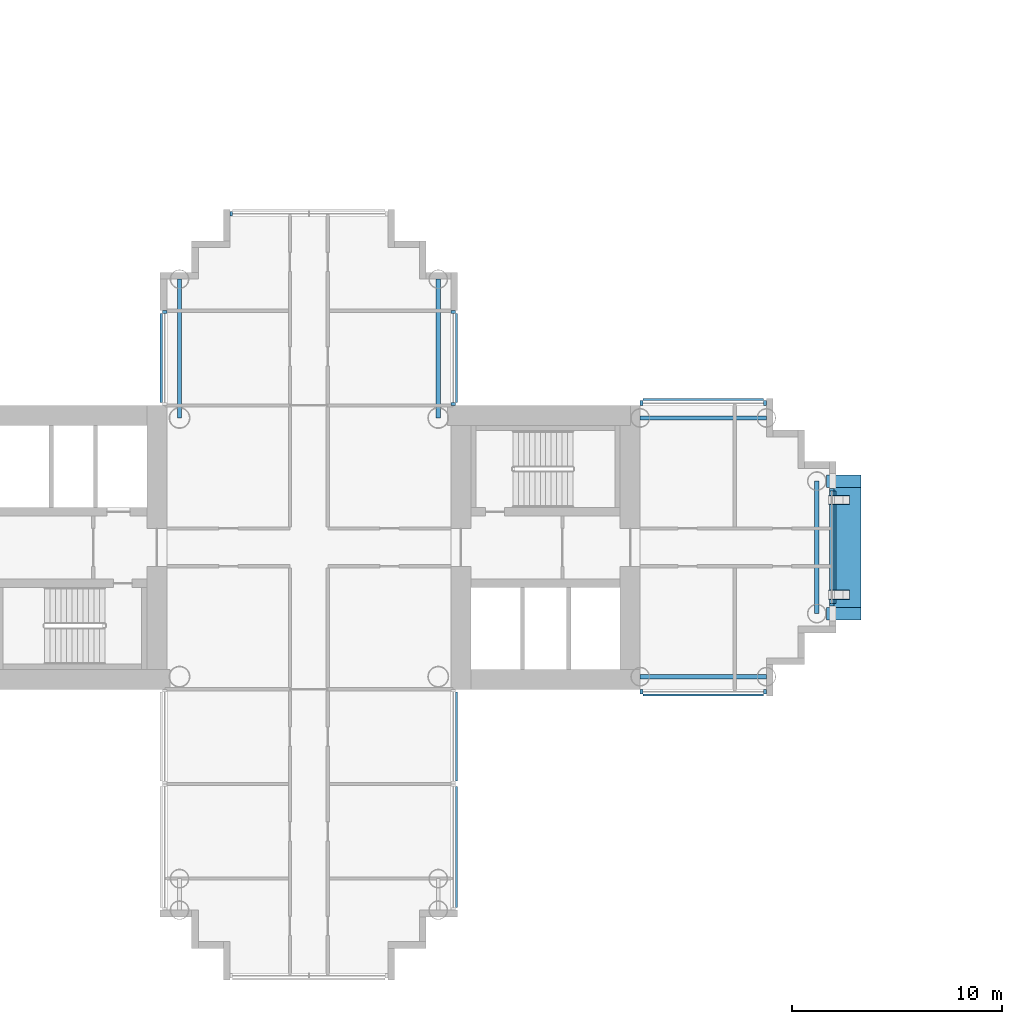
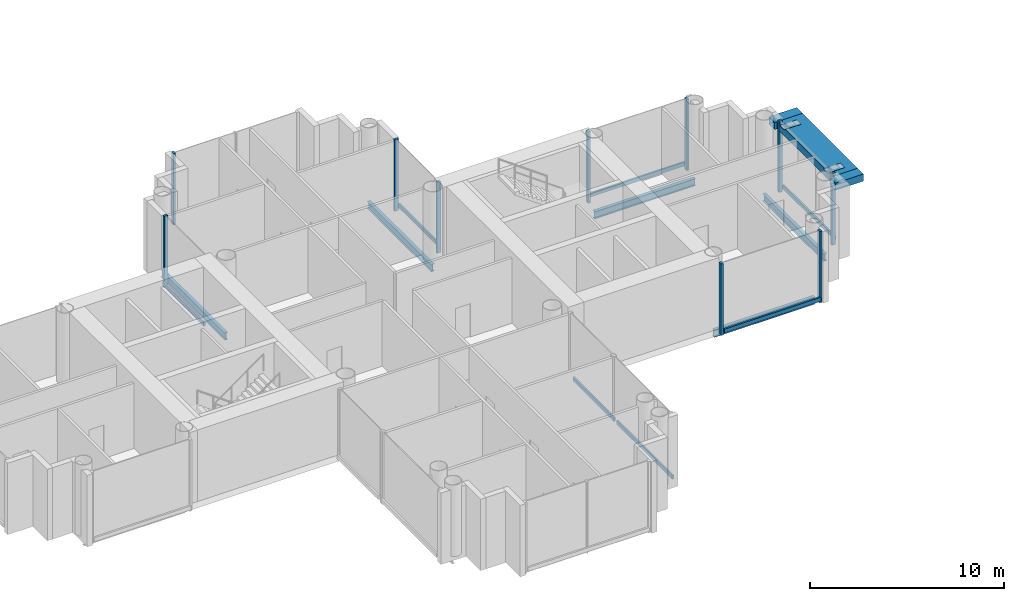
# One storey, part 4 of 20: 19 members, 8 beams, 8 elements without a shape of their own.
"""IFC4 building model written with IfcOpenShell, lengths in metres."""

import ifcopenshell
import ifcopenshell.guid

model = None  # the IFC model being written
_history = None  # IfcOwnerHistory: only IFC2X3 demands one
_inside = {}  # id of a spatial element -> (the spatial element, [elements in it])
_under = {}  # id of a project, library or spatial element -> (it, [spatial elements below it])
_declared = {}  # id of a project -> (the project, [libraries it declares])
_typed = {}  # id of a type object -> (the type object, [elements of that type])
_made_of = {}  # id of a material, layer set ... -> (it, [elements and type objects made of it])


def new_model(schema):
    """Start an empty IFC model of exactly this schema.

    Asked for "IFC4X3", IfcOpenShell would pick the latest addendum, in which some entities
    have other attributes; the version numbers below select the first issue.
    IFC2X3 requires an IfcOwnerHistory on every rooted entity: one is made here for all.
    """
    global model, _history
    if schema == "IFC4X3":
        model = ifcopenshell.file(schema_version=(4, 3, 0, 0))
    else:
        model = ifcopenshell.file(schema=schema)
    _inside.clear()
    _under.clear()
    _declared.clear()
    _typed.clear()
    _made_of.clear()
    _history = None
    if model.schema == "IFC2X3":
        org = make("IfcOrganization", Name="unknown")
        user = make(
            "IfcPersonAndOrganization",
            ThePerson=make("IfcPerson", FamilyName="unknown"),
            TheOrganization=org,
        )
        app = make(
            "IfcApplication",
            ApplicationDeveloper=org,
            Version="unknown",
            ApplicationFullName="unknown",
            ApplicationIdentifier="unknown",
        )
        _history = make(
            "IfcOwnerHistory",
            OwningUser=user,
            OwningApplication=app,
            ChangeAction="ADDED",
            CreationDate=0,
        )
    return model


def make(cls, **values):
    """One entity of the class cls with the attributes given. An attribute that is None is left unset."""
    return model.create_entity(
        cls, **{name: value for name, value in values.items() if value is not None}
    )


def rooted(cls, **values):
    """An entity with a GlobalId (a new one), such as an element, a storey or a relation."""
    return make(cls, GlobalId=ifcopenshell.guid.new(), OwnerHistory=_history, **values)


def si_unit(unit_type, name, prefix=None):
    """IfcSIUnit, for example si_unit("LENGTHUNIT", "METRE", prefix="MILLI")."""
    return make("IfcSIUnit", UnitType=unit_type, Prefix=prefix, Name=name)


def assignment(units):
    """IfcUnitAssignment: the units of a project."""
    return None if units is None else make("IfcUnitAssignment", Units=units)


def point(xyz):
    """IfcCartesianPoint."""
    return None if xyz is None else make("IfcCartesianPoint", Coordinates=xyz)


def direction(xyz):
    """IfcDirection."""
    return None if xyz is None else make("IfcDirection", DirectionRatios=xyz)


def frame(location, z_axis=None, x_axis=None):
    """IfcAxis2Placement3D, a coordinate frame: its origin and axes. An axis left out is left unset."""
    return make(
        "IfcAxis2Placement3D",
        Location=point(location),
        Axis=direction(z_axis),
        RefDirection=direction(x_axis),
    )


def frame_2d(location, x_axis=None):
    """IfcAxis2Placement2D, a coordinate frame in the plane: its origin and x axis."""
    return make(
        "IfcAxis2Placement2D", Location=point(location), RefDirection=direction(x_axis)
    )


def origin():
    """The frame at (0, 0, 0) with its axes left unset."""
    return frame((0.0, 0.0, 0.0))


def origin_2d():
    """The frame at (0, 0) in the plane with its x axis left unset."""
    return frame_2d((0.0, 0.0))


def place(relative_to, where):
    """IfcLocalPlacement: puts the frame where relative to a parent placement (None: the world)."""
    return make(
        "IfcLocalPlacement", PlacementRelTo=relative_to, RelativePlacement=where
    )


def context(
    kind, dimensions, precision=None, world=None, true_north=None, identifier=None
):
    """IfcGeometricRepresentationContext, for example the 3D "Model" context."""
    return make(
        "IfcGeometricRepresentationContext",
        ContextIdentifier=identifier,
        ContextType=kind,
        CoordinateSpaceDimension=dimensions,
        Precision=precision,
        WorldCoordinateSystem=world,
        TrueNorth=true_north,
    )


def subcontext(parent, identifier, kind, view, scale=None):
    """IfcGeometricRepresentationSubContext, for example "Body" below "Model"."""
    return make(
        "IfcGeometricRepresentationSubContext",
        ContextIdentifier=identifier,
        ContextType=kind,
        ParentContext=parent,
        TargetScale=scale,
        TargetView=view,
    )


def project(units=None, contexts=None):
    """IfcProject with its units and contexts."""
    return rooted(
        "IfcProject",
        Name="project",
        RepresentationContexts=contexts,
        UnitsInContext=assignment(units),
    )


def spatial(cls, under=None, at=None, **own):
    """A site, building, storey or space (cls), placed at a placement, below another one or the project."""
    s = rooted(cls, ObjectPlacement=at, **own)
    if under is not None:
        _under.setdefault(under.id(), (under, []))[1].append(s)
    return s


def profile(cls, at=None, kind="AREA", **sizes):
    """A parametric profile (cls). Its sizes go by their IFC names, for example OverallWidth=200.0."""
    return make(cls, ProfileType=kind, Position=at, **sizes)


def rectangle(**sizes):
    """IfcRectangleProfileDef."""
    return profile("IfcRectangleProfileDef", **sizes)


def hollow_rectangle(**sizes):
    """IfcRectangleHollowProfileDef."""
    return profile("IfcRectangleHollowProfileDef", **sizes)


def i_section(**sizes):
    """IfcIShapeProfileDef."""
    return profile("IfcIShapeProfileDef", **sizes)


def extrude(swept, where, along, depth):
    """IfcExtrudedAreaSolid: the profile swept, set in the frame where, extruded along a direction by depth."""
    return make(
        "IfcExtrudedAreaSolid",
        SweptArea=swept,
        Position=where,
        ExtrudedDirection=direction(along),
        Depth=depth,
    )


def shape(context_of_items, identifier, shape_type, items):
    """IfcShapeRepresentation: the items that make up one representation, for example the "Body"."""
    return make(
        "IfcShapeRepresentation",
        ContextOfItems=context_of_items,
        RepresentationIdentifier=identifier,
        RepresentationType=shape_type,
        Items=items,
    )


def material(Name=None, Category=None):
    """IfcMaterial."""
    return make("IfcMaterial", Name=Name, Category=Category)


def layer(
    of_material, thickness, ventilated=None, Name=None, Category=None, Priority=None
):
    """IfcMaterialLayer: one layer of a wall or slab, of a material (None: an air gap)."""
    return make(
        "IfcMaterialLayer",
        Material=of_material,
        LayerThickness=thickness,
        IsVentilated=ventilated,
        Name=Name,
        Category=Category,
        Priority=Priority,
    )


def layer_set(layers, Name=None):
    """IfcMaterialLayerSet."""
    return make("IfcMaterialLayerSet", MaterialLayers=layers, LayerSetName=Name)


def material_profile(
    of_material, cross_section, Name=None, Category=None, Priority=None
):
    """IfcMaterialProfile: a cross section and its material."""
    return make(
        "IfcMaterialProfile",
        Name=Name,
        Material=of_material,
        Profile=cross_section,
        Priority=Priority,
        Category=Category,
    )


def profile_set(profiles, Name=None, composite=None):
    """IfcMaterialProfileSet."""
    return make(
        "IfcMaterialProfileSet",
        Name=Name,
        MaterialProfiles=profiles,
        CompositeProfile=composite,
    )


def made_of(thing, what):
    """Note that an element or type object is made of a material, layer set ...; save() writes the relation."""
    if what is not None:
        _made_of.setdefault(what.id(), (what, []))[1].append(thing)
    return thing


def type_object(cls, material=None, **own):
    """A type object (cls), such as IfcWallType, which elements share."""
    return made_of(rooted(cls, **own), material)


def element(
    cls,
    number,
    at=None,
    inside=None,
    cuts=None,
    type_object=None,
    material=None,
    context=None,
    identifier="Body",
    shape_type=None,
    held_by="IfcProductDefinitionShape",
    body=None,
    shapes=None,
    **own,
):
    """One element of the class cls, such as IfcWall. Its Tag is "e" and its number.

    at: its placement. inside: the storey or other place that contains it. cuts: it is an
    opening in that element (IfcRelVoidsElement). A single representation is given by context,
    identifier, shape_type and body (its items); several are given by shapes. held_by: the class
    of the entity that holds the representations. save() writes the other relations.
    """
    e = rooted(cls, Tag="e%d" % number, ObjectPlacement=at, **own)
    if body is not None:
        shapes = [shape(context, identifier, shape_type, body)]
    if shapes is not None:
        e.Representation = make(held_by, Representations=shapes)
    if inside is not None:
        _inside.setdefault(inside.id(), (inside, []))[1].append(e)
    if cuts is not None:
        rooted(
            "IfcRelVoidsElement", RelatingBuildingElement=cuts, RelatedOpeningElement=e
        )
    if type_object is not None:
        _typed.setdefault(type_object.id(), (type_object, []))[1].append(e)
    return made_of(e, material)


def aggregate(whole, parts):
    """IfcRelAggregates: a whole, such as a stair, and the parts it consists of."""
    return rooted("IfcRelAggregates", RelatingObject=whole, RelatedObjects=parts)


def save(model, path):
    """Write the relations noted so far, then the file.

    IfcRelAggregates (storeys below a building ...), IfcRelContainedInSpatialStructure (elements
    in a storey), IfcRelDefinesByType, IfcRelAssociatesMaterial and IfcRelDeclares: one each for
    every whole, place, type object, material and project.
    """
    for whole, parts in _under.values():
        aggregate(whole, parts)
    for where, things in _inside.values():
        rooted(
            "IfcRelContainedInSpatialStructure",
            RelatedElements=things,
            RelatingStructure=where,
        )
    for kind, things in _typed.values():
        rooted("IfcRelDefinesByType", RelatedObjects=things, RelatingType=kind)
    for what, things in _made_of.values():
        rooted("IfcRelAssociatesMaterial", RelatedObjects=things, RelatingMaterial=what)
    for by, libraries in _declared.values():
        rooted("IfcRelDeclares", RelatingContext=by, RelatedDefinitions=libraries)
    model.write(path)


model = new_model("IFC4")

# Units and contexts
model_context = context("Model", 3, precision=1e-05, world=origin(), true_north=direction((0.0, 1.0)))
body_context = subcontext(model_context, "Body", "Model", "MODEL_VIEW")
ifc_project = project(units=[si_unit("LENGTHUNIT", "METRE"), si_unit("AREAUNIT", "SQUARE_METRE"), si_unit("VOLUMEUNIT", "CUBIC_METRE"), si_unit("PLANEANGLEUNIT", "RADIAN"), si_unit("MASSUNIT", "GRAM", prefix="KILO")], contexts=[model_context])

# Site, building, storey
site_placement = place(None, origin())
site = spatial("IfcSite", under=ifc_project, at=site_placement, CompositionType="ELEMENT")
building_placement = place(site_placement, origin())
building = spatial("IfcBuilding", under=site, at=building_placement, Name="Ipe Terrace Towers", CompositionType="ELEMENT")
storey_placement = place(building_placement, frame((0.0, 0.0, 124.199951171875)))
storey = spatial("IfcBuildingStorey", under=building, at=storey_placement, Name="L34", CompositionType="ELEMENT", Elevation=124.199951171875)

# Beams
ifc_material_1 = material(Name="Steel S355", Category="steel")
ifc_material_profile_1 = material_profile(ifc_material_1, hollow_rectangle(XDim=0.60009765625, YDim=0.449951171875, WallThickness=0.02490234375, at=origin_2d()), Name="BRIDGE-CORBEL BOX 600x450x25")
ifc_profile_set_1 = profile_set([ifc_material_profile_1], Name="Steel S355")
beam_type_1 = type_object("IfcBeamType", Name="BRIDGE-CORBEL BOX 600x450x25", PredefinedType="USERDEFINED", material=ifc_profile_set_1)
for number, where, z_axis, x_axis, name in (
    (1, (-11.39990234375, -3.14990234375, 3.844970703125), (1.0, 0.0, 0.0), (0.0, 1.0, 0.0), "BR2-CB-T1-S bearing seat arm"),
    (2, (-11.39990234375, 3.14990234375, 3.844970703125), (1.0, 0.0, 0.0), (0.0, 1.0, 0.0), "BR2-CB-T1-N bearing seat arm"),
):
    element("IfcBeam", number, at=place(storey_placement, frame(where, z_axis=z_axis, x_axis=x_axis)), inside=storey, type_object=beam_type_1, Name=name, ObjectType="CORBEL", PredefinedType="USERDEFINED", context=body_context, shape_type="SweptSolid", body=[
        extrude(hollow_rectangle(XDim=0.60009765625, YDim=0.449951171875, WallThickness=0.02490234375, at=origin_2d()), origin(), (0.0, 0.0, 1.0), 1.64990234375),
    ])
ifc_material_2 = material(Name="Steel S355", Category="steel")
ifc_material_profile_2 = material_profile(ifc_material_2, hollow_rectangle(XDim=1.5, YDim=0.449951171875, WallThickness=0.02490234375, at=origin_2d()), Name="BRIDGE-SEAT BEAM BOX 1500x450x25")
ifc_profile_set_2 = profile_set([ifc_material_profile_2], Name="Steel S355")
beam_type_2 = type_object("IfcBeamType", Name="BRIDGE-SEAT BEAM BOX 1500x450x25", PredefinedType="USERDEFINED", material=ifc_profile_set_2)
beam_1_placement = place(storey_placement, frame((-10.5, -2.85009765625, 3.844970703125), z_axis=(0.0, 1.0, 0.0), x_axis=(-1.0, 0.0, 0.0)))
element("IfcBeam", 3, at=beam_1_placement, inside=storey, type_object=beam_type_2, Name="BR2-SB-T1 bearing seat beam", ObjectType="SEAT BEAM", PredefinedType="USERDEFINED", context=body_context, shape_type="SweptSolid", body=[
    extrude(hollow_rectangle(XDim=1.5, YDim=0.449951171875, WallThickness=0.02490234375, at=origin_2d()), origin(), (0.0, 0.0, 1.0), 5.7001953125),
])

# Members
ifc_material_3 = material(Name="Steel S355", Category="steel")
member_type_1 = type_object("IfcMemberType", Name="BRIDGE-SLIDE PLATE 1000x450x10", PredefinedType="PLATE", material=ifc_material_3)
for number, where, z_axis, x_axis, name in (
    (4, (-10.800048828125, -2.25, 4.06982421875), (0.0, 0.0, 1.0), (1.0, 0.0, 0.0), "BR2-PL-T1-S slide plate"),
    (5, (-10.800048828125, 2.25, 4.06982421875), (0.0, 0.0, 1.0), (1.0, 0.0, 0.0), "BR2-PL-T1-N slide plate"),
):
    element("IfcMember", number, at=place(storey_placement, frame(where, z_axis=z_axis, x_axis=x_axis)), inside=storey, type_object=member_type_1, Name=name, PredefinedType="PLATE", context=body_context, shape_type="SweptSolid", body=[
        extrude(rectangle(XDim=1.0, YDim=0.449951171875, at=origin_2d()), origin(), (0.0, 0.0, 1.0), 0.010009765625),
    ])

# Beams
ifc_material_4 = material(Name="Steel S355", Category="steel")
ifc_material_profile_3 = material_profile(ifc_material_4, i_section(OverallWidth=0.199951171875, OverallDepth=0.449951171875, WebThickness=0.009033203125, FlangeThickness=0.013916015625, at=origin_2d()), Name="H-450x200x9x14")
ifc_profile_set_3 = profile_set([ifc_material_profile_3], Name="Steel S355")
beam_type_3 = type_object("IfcBeamType", Name="H08 EDGE BEAM H-450x200x9x14", PredefinedType="BEAM", material=ifc_profile_set_3)
for number, where, z_axis, x_axis, name in (
    (6, (-20.25, -6.14990234375, -0.625), (1.0, 0.0, 0.0), (0.0, 1.0, 0.0), "Edge beam T1-EB-A01-A03"),
    (7, (-20.25, 6.14990234375, -0.625), (1.0, 0.0, 0.0), (0.0, 1.0, 0.0), "Edge beam T1-EB-A02-A04"),
):
    element("IfcBeam", number, at=place(storey_placement, frame(where, z_axis=z_axis, x_axis=x_axis)), inside=storey, type_object=beam_type_3, Name=name, PredefinedType="BEAM", context=body_context, shape_type="SweptSolid", body=[
        extrude(i_section(OverallWidth=0.199951171875, OverallDepth=0.449951171875, WebThickness=0.009033203125, FlangeThickness=0.013916015625, at=origin_2d()), origin(), (0.0, 0.0, 1.0), 6.0),
    ])
beam_2_placement = place(storey_placement, frame((-11.85009765625, -3.14990234375, -0.625), z_axis=(0.0, 1.0, 0.0), x_axis=(-1.0, 0.0, 0.0)))
element("IfcBeam", 8, at=beam_2_placement, inside=storey, type_object=beam_type_3, Name="Edge beam T1-EB-A05-A06", PredefinedType="BEAM", context=body_context, shape_type="SweptSolid", body=[
    extrude(i_section(OverallWidth=0.199951171875, OverallDepth=0.449951171875, WebThickness=0.009033203125, FlangeThickness=0.013916015625, at=origin_2d()), origin(), (0.0, 0.0, 1.0), 6.2998046875),
])
for number, where, z_axis, x_axis, name in (
    (9, (-29.85009765625, 12.75, -0.625), (0.0, -1.0, 0.0), (1.0, 0.0, 0.0), "Edge beam T1-EB-B01-E03"),
    (10, (-42.14990234375, 12.75, -0.625), (0.0, -1.0, 0.0), (1.0, 0.0, 0.0), "Edge beam T1-EB-B02-E04"),
):
    element("IfcBeam", number, at=place(storey_placement, frame(where, z_axis=z_axis, x_axis=x_axis)), inside=storey, type_object=beam_type_3, Name=name, PredefinedType="BEAM", context=body_context, shape_type="SweptSolid", body=[
        extrude(i_section(OverallWidth=0.199951171875, OverallDepth=0.449951171875, WebThickness=0.009033203125, FlangeThickness=0.013916015625, at=origin_2d()), origin(), (0.0, 0.0, 1.0), 6.60009765625),
    ])

# Curtain wall, members
ifc_material_5 = material(Name="Aluminium alloy 6063-T6", Category="aluminium")
ifc_layer = layer(ifc_material_5, 0.320068359375)
ifc_layer_set = layer_set([ifc_layer], Name="PLANT LOUVRE CURTAIN WALL")
curtain_wall_type = type_object("IfcCurtainWallType", Name="PLANT LOUVRE CURTAIN WALL", PredefinedType="NOTDEFINED", material=ifc_layer_set)
curtain_wall_1_placement = place(storey_placement, origin())
curtain_wall_1 = element("IfcCurtainWall", 11, at=curtain_wall_1_placement, inside=storey, type_object=curtain_wall_type, Name="T1-CW-L34-20b curtain wall", PredefinedType="NOTDEFINED")
ifc_material_6 = material(Name="Aluminium alloy 6063-T6", Category="aluminium")
ifc_material_profile_4 = material_profile(ifc_material_6, rectangle(XDim=0.219970703125, YDim=0.1298828125, at=origin_2d()), Name="PLANT LOUVRE CORNER MULLION 220 x 130")
ifc_profile_set_4 = profile_set([ifc_material_profile_4], Name="Aluminium alloy 6063-T6")
member_type_2 = type_object("IfcMemberType", Name="PLANT LOUVRE CORNER MULLION 220 x 130", PredefinedType="MULLION", material=ifc_profile_set_4)
member_1_placement = place(storey_placement, frame((-20.18408203125, -6.860107421875, -0.300048828125), z_axis=(0.0, 0.0, 1.0), x_axis=(0.0, -1.0, 0.0)))
member_1 = element("IfcMember", 12, at=member_1_placement, type_object=member_type_2, Name="T1-CW-L34-20b mullion 1", PredefinedType="MULLION", context=body_context, shape_type="SweptSolid", body=[
    extrude(rectangle(XDim=0.219970703125, YDim=0.1298828125, at=origin_2d()), origin(), (0.0, 0.0, 1.0), 4.5),
])
member_2_placement = place(storey_placement, frame((-14.31494140625, -6.860107421875, -0.300048828125), z_axis=(0.0, 0.0, 1.0), x_axis=(0.0, -1.0, 0.0)))
member_2 = element("IfcMember", 13, at=member_2_placement, type_object=member_type_2, Name="T1-CW-L34-20b mullion 2", PredefinedType="MULLION", context=body_context, shape_type="SweptSolid", body=[
    extrude(rectangle(XDim=0.219970703125, YDim=0.1298828125, at=origin_2d()), origin(), (0.0, 0.0, 1.0), 4.5),
])

curtain_wall_2_placement = place(storey_placement, origin())
curtain_wall_2 = element("IfcCurtainWall", 14, at=curtain_wall_2_placement, inside=storey, type_object=curtain_wall_type, Name="T1-CW-L34-25d curtain wall", PredefinedType="NOTDEFINED")
member_3_placement = place(storey_placement, frame((-11.139892578125, -2.735107421875, -0.300048828125), z_axis=(0.0, 0.0, 1.0), x_axis=(1.0, 0.0, 0.0)))
member_3 = element("IfcMember", 15, at=member_3_placement, type_object=member_type_2, Name="T1-CW-L34-25d mullion 1", PredefinedType="MULLION", context=body_context, shape_type="SweptSolid", body=[
    extrude(rectangle(XDim=0.219970703125, YDim=0.1298828125, at=origin_2d()), origin(), (0.0, 0.0, 1.0), 4.5),
])
member_4_placement = place(storey_placement, frame((-11.139892578125, 2.735107421875, -0.300048828125), z_axis=(0.0, 0.0, 1.0), x_axis=(1.0, 0.0, 0.0)))
member_4 = element("IfcMember", 16, at=member_4_placement, type_object=member_type_2, Name="T1-CW-L34-25d mullion 2", PredefinedType="MULLION", context=body_context, shape_type="SweptSolid", body=[
    extrude(rectangle(XDim=0.219970703125, YDim=0.1298828125, at=origin_2d()), origin(), (0.0, 0.0, 1.0), 4.5),
])

curtain_wall_3_placement = place(storey_placement, origin())
curtain_wall_3 = element("IfcCurtainWall", 17, at=curtain_wall_3_placement, inside=storey, type_object=curtain_wall_type, Name="T1-CW-L34-30a curtain wall", PredefinedType="NOTDEFINED")
member_5_placement = place(storey_placement, frame((-14.31494140625, 6.860107421875, -0.300048828125), z_axis=(0.0, 0.0, 1.0), x_axis=(0.0, 1.0, 0.0)))
member_5 = element("IfcMember", 18, at=member_5_placement, type_object=member_type_2, Name="T1-CW-L34-30a mullion 1", PredefinedType="MULLION", context=body_context, shape_type="SweptSolid", body=[
    extrude(rectangle(XDim=0.219970703125, YDim=0.1298828125, at=origin_2d()), origin(), (0.0, 0.0, 1.0), 4.5),
])
member_6_placement = place(storey_placement, frame((-20.18408203125, 6.860107421875, -0.300048828125), z_axis=(0.0, 0.0, 1.0), x_axis=(0.0, 1.0, 0.0)))
member_6 = element("IfcMember", 19, at=member_6_placement, type_object=member_type_2, Name="T1-CW-L34-30a mullion 2", PredefinedType="MULLION", context=body_context, shape_type="SweptSolid", body=[
    extrude(rectangle(XDim=0.219970703125, YDim=0.1298828125, at=origin_2d()), origin(), (0.0, 0.0, 1.0), 4.5),
])

curtain_wall_4_placement = place(storey_placement, origin())
curtain_wall_4 = element("IfcCurtainWall", 20, at=curtain_wall_4_placement, inside=storey, type_object=curtain_wall_type, Name="T1-CW-L34-32a curtain wall", PredefinedType="NOTDEFINED")
member_7_placement = place(storey_placement, frame((-29.139892578125, 6.81494140625, -0.300048828125), z_axis=(0.0, 0.0, 1.0), x_axis=(1.0, 0.0, 0.0)))
member_7 = element("IfcMember", 21, at=member_7_placement, type_object=member_type_2, Name="T1-CW-L34-32a mullion 1", PredefinedType="MULLION", context=body_context, shape_type="SweptSolid", body=[
    extrude(rectangle(XDim=0.219970703125, YDim=0.1298828125, at=origin_2d()), origin(), (0.0, 0.0, 1.0), 4.5),
])
member_8_placement = place(storey_placement, frame((-29.139892578125, 11.18505859375, -0.300048828125), z_axis=(0.0, 0.0, 1.0), x_axis=(1.0, 0.0, 0.0)))
member_8 = element("IfcMember", 22, at=member_8_placement, type_object=member_type_2, Name="T1-CW-L34-32a mullion 2", PredefinedType="MULLION", context=body_context, shape_type="SweptSolid", body=[
    extrude(rectangle(XDim=0.219970703125, YDim=0.1298828125, at=origin_2d()), origin(), (0.0, 0.0, 1.0), 4.5),
])

# Curtain wall, member
curtain_wall_5_placement = place(storey_placement, origin())
curtain_wall_5 = element("IfcCurtainWall", 23, at=curtain_wall_5_placement, inside=storey, type_object=curtain_wall_type, Name="T1-CW-L34-38a curtain wall", PredefinedType="NOTDEFINED")
member_9_placement = place(storey_placement, frame((-39.68505859375, 15.860107421875, -0.300048828125), z_axis=(0.0, 0.0, 1.0), x_axis=(0.0, 1.0, 0.0)))
member_9 = element("IfcMember", 24, at=member_9_placement, type_object=member_type_2, Name="T1-CW-L34-38a mullion 3", PredefinedType="MULLION", context=body_context, shape_type="SweptSolid", body=[
    extrude(rectangle(XDim=0.219970703125, YDim=0.1298828125, at=origin_2d()), origin(), (0.0, 0.0, 1.0), 4.5),
])
aggregate(curtain_wall_5, [member_9])

curtain_wall_6_placement = place(storey_placement, origin())
curtain_wall_6 = element("IfcCurtainWall", 25, at=curtain_wall_6_placement, inside=storey, type_object=curtain_wall_type, Name="T1-CW-L34-44a curtain wall", PredefinedType="NOTDEFINED")
member_10_placement = place(storey_placement, frame((-42.860107421875, 11.18505859375, -0.300048828125), z_axis=(0.0, 0.0, 1.0), x_axis=(-1.0, 0.0, 0.0)))
member_10 = element("IfcMember", 26, at=member_10_placement, type_object=member_type_2, Name="T1-CW-L34-44a mullion 1", PredefinedType="MULLION", context=body_context, shape_type="SweptSolid", body=[
    extrude(rectangle(XDim=0.219970703125, YDim=0.1298828125, at=origin_2d()), origin(), (0.0, 0.0, 1.0), 4.5),
])

curtain_wall_7_placement = place(storey_placement, origin())
curtain_wall_7 = element("IfcCurtainWall", 27, at=curtain_wall_7_placement, inside=storey, type_object=curtain_wall_type, Name="T1-CW-L34-17a curtain wall", PredefinedType="NOTDEFINED")
ifc_material_7 = material(Name="Aluminium alloy 6063-T6", Category="aluminium")
ifc_material_profile_5 = material_profile(ifc_material_7, rectangle(XDim=0.10009765625, YDim=0.239990234375, at=origin_2d()), Name="PLANT LOUVRE TRANSOM 100 x 240")
ifc_profile_set_5 = profile_set([ifc_material_profile_5], Name="Aluminium alloy 6063-T6")
member_type_3 = type_object("IfcMemberType", Name="PLANT LOUVRE TRANSOM 100 x 240", PredefinedType="USERDEFINED", material=ifc_profile_set_5)
member_11_placement = place(storey_placement, frame((-28.97998046875, -17.1201171875, 0.0), z_axis=(0.0, 1.0, 0.0), x_axis=(1.0, 0.0, 0.0)))
member_11 = element("IfcMember", 28, at=member_11_placement, type_object=member_type_3, Name="T1-CW-L34-17a transom", ObjectType="TRANSOM", PredefinedType="USERDEFINED", context=body_context, shape_type="SweptSolid", body=[
    extrude(rectangle(XDim=0.10009765625, YDim=0.239990234375, at=origin_2d()), origin(), (0.0, 0.0, 1.0), 5.740234375),
])
aggregate(curtain_wall_7, [member_11])

curtain_wall_8_placement = place(storey_placement, origin())
curtain_wall_8 = element("IfcCurtainWall", 29, at=curtain_wall_8_placement, inside=storey, type_object=curtain_wall_type, Name="T1-CW-L34-18a curtain wall", PredefinedType="NOTDEFINED")
member_12_placement = place(storey_placement, frame((-28.97998046875, -11.1201171875, 0.0), z_axis=(0.0, 1.0, 0.0), x_axis=(1.0, 0.0, 0.0)))
member_12 = element("IfcMember", 30, at=member_12_placement, type_object=member_type_3, Name="T1-CW-L34-18a transom", ObjectType="TRANSOM", PredefinedType="USERDEFINED", context=body_context, shape_type="SweptSolid", body=[
    extrude(rectangle(XDim=0.10009765625, YDim=0.239990234375, at=origin_2d()), origin(), (0.0, 0.0, 1.0), 4.240234375),
])
aggregate(curtain_wall_8, [member_12])

# Member
member_13_placement = place(storey_placement, frame((-20.118896484375, -7.02001953125, 0.0), z_axis=(1.0, 0.0, 0.0), x_axis=(0.0, -1.0, 0.0)))
member_13 = element("IfcMember", 31, at=member_13_placement, type_object=member_type_3, Name="T1-CW-L34-20b transom", ObjectType="TRANSOM", PredefinedType="USERDEFINED", context=body_context, shape_type="SweptSolid", body=[
    extrude(rectangle(XDim=0.10009765625, YDim=0.239990234375, at=origin_2d()), origin(), (0.0, 0.0, 1.0), 5.739013671875),
])

aggregate(curtain_wall_1, [member_1, member_2, member_13])

member_14_placement = place(storey_placement, frame((-10.97998046875, -2.669921875, 0.0), z_axis=(0.0, 1.0, 0.0), x_axis=(1.0, 0.0, 0.0)))
member_14 = element("IfcMember", 32, at=member_14_placement, type_object=member_type_3, Name="T1-CW-L34-25d transom", ObjectType="TRANSOM", PredefinedType="USERDEFINED", context=body_context, shape_type="SweptSolid", body=[
    extrude(rectangle(XDim=0.10009765625, YDim=0.239990234375, at=origin_2d()), origin(), (0.0, 0.0, 1.0), 5.33984375),
])

aggregate(curtain_wall_2, [member_3, member_4, member_14])

member_15_placement = place(storey_placement, frame((-14.3798828125, 7.02001953125, 0.0), z_axis=(-1.0, 0.0, 0.0), x_axis=(0.0, 1.0, 0.0)))
member_15 = element("IfcMember", 33, at=member_15_placement, type_object=member_type_3, Name="T1-CW-L34-30a transom", ObjectType="TRANSOM", PredefinedType="USERDEFINED", context=body_context, shape_type="SweptSolid", body=[
    extrude(rectangle(XDim=0.10009765625, YDim=0.239990234375, at=origin_2d()), origin(), (0.0, 0.0, 1.0), 5.739013671875),
])

aggregate(curtain_wall_3, [member_5, member_6, member_15])

member_16_placement = place(storey_placement, frame((-28.97998046875, 6.8798828125, 0.0), z_axis=(0.0, 1.0, 0.0), x_axis=(1.0, 0.0, 0.0)))
member_16 = element("IfcMember", 34, at=member_16_placement, type_object=member_type_3, Name="T1-CW-L34-32a transom", ObjectType="TRANSOM", PredefinedType="USERDEFINED", context=body_context, shape_type="SweptSolid", body=[
    extrude(rectangle(XDim=0.10009765625, YDim=0.239990234375, at=origin_2d()), origin(), (0.0, 0.0, 1.0), 4.240234375),
])

aggregate(curtain_wall_4, [member_7, member_8, member_16])

member_17_placement = place(storey_placement, frame((-43.02001953125, 11.1201171875, 0.0), z_axis=(0.0, -1.0, 0.0), x_axis=(-1.0, 0.0, 0.0)))
member_17 = element("IfcMember", 35, at=member_17_placement, type_object=member_type_3, Name="T1-CW-L34-44a transom", ObjectType="TRANSOM", PredefinedType="USERDEFINED", context=body_context, shape_type="SweptSolid", body=[
    extrude(rectangle(XDim=0.10009765625, YDim=0.239990234375, at=origin_2d()), origin(), (0.0, 0.0, 1.0), 4.240234375),
])

aggregate(curtain_wall_6, [member_10, member_17])

save(model, "model.ifc")
